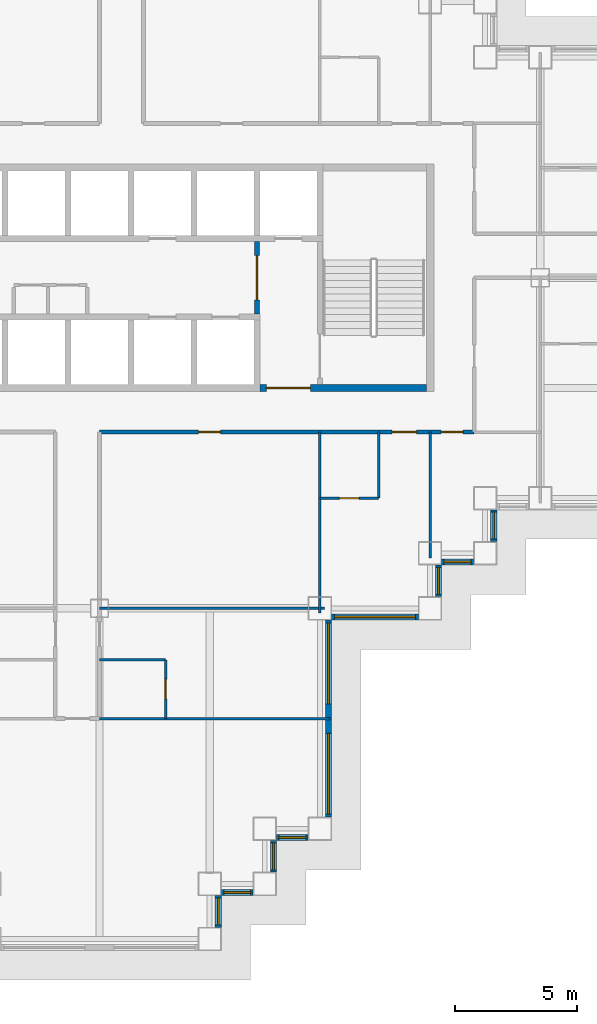
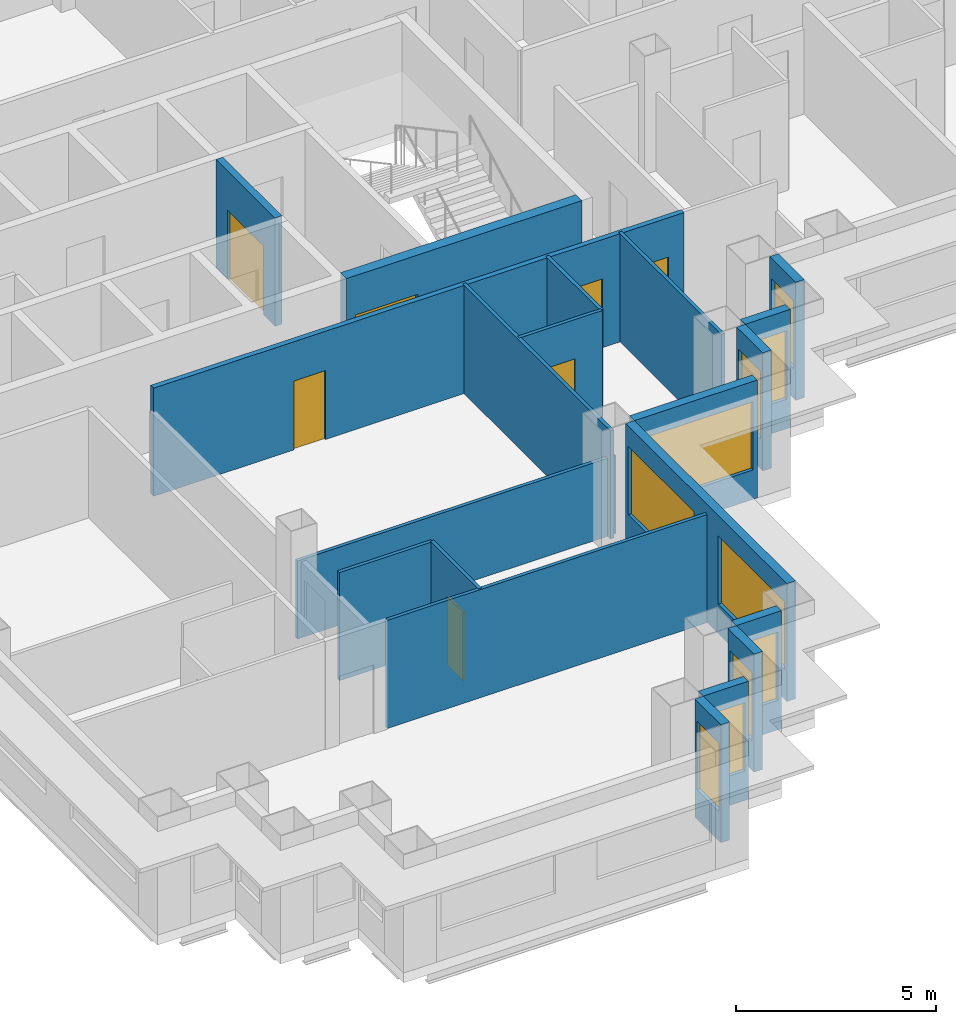
# One storey, part 5 of 15: 20 walls, 10 windows, 7 doors, 17 openings.
"""IFC4 building model written with IfcOpenShell, lengths in metres."""

from ifc_helpers import new_model, si_unit, direction, frame, frame_2d, origin, place, context, subcontext, project, spatial, rectangle, extrude, material, layer, layer_set, type_object, element, fill, save


model = new_model("IFC4")

# Units and contexts
model_context = context("Model", 3, precision=1e-05, world=origin(), true_north=direction((0.0, 1.0)))
body_context = subcontext(model_context, "Body", "Model", "MODEL_VIEW")
ifc_project = project(units=[si_unit("LENGTHUNIT", "METRE"), si_unit("AREAUNIT", "SQUARE_METRE"), si_unit("VOLUMEUNIT", "CUBIC_METRE"), si_unit("PLANEANGLEUNIT", "RADIAN"), si_unit("MASSUNIT", "GRAM", prefix="KILO")], contexts=[model_context])

# Site, building, storey
site_placement = place(None, origin())
site = spatial("IfcSite", under=ifc_project, at=site_placement, CompositionType="ELEMENT")
building_placement = place(site_placement, origin())
building = spatial("IfcBuilding", under=site, at=building_placement, Name="Caravel Reach Hotel and Residences", CompositionType="ELEMENT")
storey_placement = place(building_placement, frame((0.0, 0.0, 78.0)))
storey = spatial("IfcBuildingStorey", under=building, at=storey_placement, Name="L18", CompositionType="ELEMENT", Elevation=78.0)

# Wall
ifc_material_1 = material(Name="Gypsum board on steel stud", Category="steel")
ifc_layer_1 = layer(ifc_material_1, 0.10009765625)
ifc_layer_set_1 = layer_set([ifc_layer_1], Name="Bathroom pod wall 100 mm")
wall_type_1 = type_object("IfcWallType", Name="Bathroom pod wall 100 mm", PredefinedType="PARTITIONING", material=ifc_layer_set_1)
wall_1_placement = place(storey_placement, frame((31.5, 11.39990234375, 0.0), z_axis=(0.0, 0.0, 1.0), x_axis=(1.0, 0.0, 0.0)))
element("IfcWall", 1, at=wall_1_placement, inside=storey, type_object=wall_type_1, Name="L18 wall w082", PredefinedType="PARTITIONING", context=body_context, shape_type="SweptSolid", body=[
    extrude(rectangle(XDim=2.699951171875, YDim=0.10009765625, at=frame_2d((1.35009765625, 0.0))), origin(), (0.0, 0.0, 1.0), 3.300048828125),
])

# Wall, opening, door
wall_2_placement = place(storey_placement, frame((40.5, 18.0, 0.0), z_axis=(0.0, 0.0, 1.0), x_axis=(1.0, 0.0, 0.0)))
wall_2 = element("IfcWall", 2, at=wall_2_placement, inside=storey, type_object=wall_type_1, Name="L18 wall w085", PredefinedType="PARTITIONING", context=body_context, shape_type="SweptSolid", body=[
    extrude(rectangle(XDim=2.39990234375, YDim=0.10009765625, at=frame_2d((1.199951171875, 0.0))), origin(), (0.0, 0.0, 1.0), 3.300048828125),
])
opening_1_placement = place(wall_2_placement, frame((0.800048828125, 0.0, 0.0)))
opening_1 = element("IfcOpeningElement", 3, at=opening_1_placement, cuts=wall_2, Name="Opening D18-056", PredefinedType="OPENING", context=body_context, shape_type="SweptSolid", body=[
    extrude(rectangle(XDim=0.800048828125, YDim=2.10009765625, at=frame_2d((0.39990234375, 1.050048828125))), frame((0.0, 0.06005859375, 0.0), z_axis=(0.0, -1.0, 0.0), x_axis=(1.0, 0.0, 0.0)), (0.0, 0.0, 1.0), 0.1201171875),
])
ifc_material_2 = material(Name="Timber and steel door leaf", Category="steel")
door_type_1 = type_object("IfcDoorType", Name="Bathroom door 800 x 2100", OperationType="SINGLE_SWING_LEFT", PredefinedType="DOOR", material=ifc_material_2)
door_1_placement = place(opening_1_placement, origin())
door_1 = element("IfcDoor", 4, at=door_1_placement, inside=storey, type_object=door_type_1, Name="door D18-056", OperationType="SINGLE_SWING_RIGHT", OverallHeight=2.10009765625, OverallWidth=0.800048828125, PredefinedType="DOOR", context=body_context, shape_type="SweptSolid", body=[
    extrude(rectangle(XDim=0.800048828125, YDim=2.10009765625, at=frame_2d((0.39990234375, 1.050048828125))), frame((0.0, 0.02490234375, 0.0), z_axis=(0.0, -1.0, 0.0), x_axis=(1.0, 0.0, 0.0)), (0.0, 0.0, 1.0), 0.050048828125),
])
fill(opening_1, door_1)

wall_3_placement = place(storey_placement, frame((34.199951171875, 9.0, 0.0), z_axis=(0.0, 0.0, 1.0), x_axis=(0.0, 1.0, 0.0)))
wall_3 = element("IfcWall", 5, at=wall_3_placement, inside=storey, type_object=wall_type_1, Name="L18 wall w107", PredefinedType="PARTITIONING", context=body_context, shape_type="SweptSolid", body=[
    extrude(rectangle(XDim=2.39990234375, YDim=0.10009765625, at=frame_2d((1.199951171875, 0.0))), origin(), (0.0, 0.0, 1.0), 3.300048828125),
])
opening_2_placement = place(wall_3_placement, frame((0.800048828125, 0.0, 0.0)))
opening_2 = element("IfcOpeningElement", 6, at=opening_2_placement, cuts=wall_3, Name="Opening D18-041", PredefinedType="OPENING", context=body_context, shape_type="SweptSolid", body=[
    extrude(rectangle(XDim=0.800048828125, YDim=2.10009765625, at=frame_2d((0.39990234375, 1.050048828125))), frame((0.0, 0.06005859375, 0.0), z_axis=(0.0, -1.0, 0.0), x_axis=(1.0, 0.0, 0.0)), (0.0, 0.0, 1.0), 0.1201171875),
])
door_2_placement = place(opening_2_placement, origin())
door_2 = element("IfcDoor", 7, at=door_2_placement, inside=storey, type_object=door_type_1, Name="door D18-041", OperationType="SINGLE_SWING_RIGHT", OverallHeight=2.10009765625, OverallWidth=0.800048828125, PredefinedType="DOOR", context=body_context, shape_type="SweptSolid", body=[
    extrude(rectangle(XDim=0.800048828125, YDim=2.10009765625, at=frame_2d((0.39990234375, 1.050048828125))), frame((0.0, 0.02490234375, 0.0), z_axis=(0.0, -1.0, 0.0), x_axis=(1.0, 0.0, 0.0)), (0.0, 0.0, 1.0), 0.050048828125),
])
fill(opening_2, door_2)

# Wall
wall_4_placement = place(storey_placement, frame((42.89990234375, 18.0, 0.0), z_axis=(0.0, 0.0, 1.0), x_axis=(0.0, 1.0, 0.0)))
element("IfcWall", 8, at=wall_4_placement, inside=storey, type_object=wall_type_1, Name="L18 wall w110", PredefinedType="PARTITIONING", context=body_context, shape_type="SweptSolid", body=[
    extrude(rectangle(XDim=2.699951171875, YDim=0.10009765625, at=frame_2d((1.35009765625, 0.0))), origin(), (0.0, 0.0, 1.0), 3.300048828125),
])

# Wall, opening, door
ifc_material_3 = material(Name="Concrete C60", Category="concrete")
ifc_layer_2 = layer(ifc_material_3, 0.300048828125)
ifc_layer_set_2 = layer_set([ifc_layer_2], Name="Core wall 300 mm EI 120")
wall_type_2 = type_object("IfcWallType", Name="Core wall 300 mm EI 120", PredefinedType="SHEAR", material=ifc_layer_set_2)
wall_5_placement = place(storey_placement, frame((38.053466796875, 22.5, 0.0), z_axis=(0.0, 0.0, 1.0), x_axis=(1.0, 0.0, 0.0)))
wall_5 = element("IfcWall", 9, at=wall_5_placement, inside=storey, type_object=wall_type_2, Name="L18 core wall S2", PredefinedType="SHEAR", context=body_context, shape_type="SweptSolid", body=[
    extrude(rectangle(XDim=6.796630859375, YDim=0.300048828125, at=frame_2d((3.3984375, 0.0))), origin(), (0.0, 0.0, 1.0), 3.300048828125),
])
opening_3_placement = place(wall_5_placement, frame((0.2607421875, 0.0, 0.0)))
opening_3 = element("IfcOpeningElement", 10, at=opening_3_placement, cuts=wall_5, Name="Opening D18-015", PredefinedType="OPENING", context=body_context, shape_type="SweptSolid", body=[
    extrude(rectangle(XDim=1.800048828125, YDim=2.10009765625, at=frame_2d((0.89990234375, 1.050048828125))), frame((0.0, 0.159912109375, 0.0), z_axis=(0.0, -1.0, 0.0), x_axis=(1.0, 0.0, 0.0)), (0.0, 0.0, 1.0), 0.320068359375),
])
ifc_material_4 = material(Name="Steel fire door leaf", Category="steel")
door_type_2 = type_object("IfcDoorType", Name="Fire lobby door pair 1800 x 2100 EI 90", OperationType="DOUBLE_DOOR_SINGLE_SWING", PredefinedType="DOOR", material=ifc_material_4)
door_3_placement = place(opening_3_placement, origin())
door_3 = element("IfcDoor", 11, at=door_3_placement, inside=storey, type_object=door_type_2, Name="lobby S door pair to corridor", OperationType="DOUBLE_DOOR_SINGLE_SWING", OverallHeight=2.10009765625, OverallWidth=1.800048828125, PredefinedType="DOOR", context=body_context, shape_type="SweptSolid", body=[
    extrude(rectangle(XDim=1.800048828125, YDim=2.10009765625, at=frame_2d((0.89990234375, 1.050048828125))), frame((0.0, 0.02490234375, 0.0), z_axis=(0.0, -1.0, 0.0), x_axis=(1.0, 0.0, 0.0)), (0.0, 0.0, 1.0), 0.050048828125),
])
fill(opening_3, door_3)

# Wall, openings, doors
ifc_material_5 = material(Name="Gypsum board on steel stud, fire-rated", Category="steel")
ifc_layer_3 = layer(ifc_material_5, 0.14990234375)
ifc_layer_set_3 = layer_set([ifc_layer_3], Name="Corridor wall 150 mm EI 60")
wall_type_3 = type_object("IfcWallType", Name="Corridor wall 150 mm EI 60", PredefinedType="PARTITIONING", material=ifc_layer_set_3)
wall_6_placement = place(storey_placement, frame((31.5, 20.699951171875, 0.0), z_axis=(0.0, 0.0, 1.0), x_axis=(1.0, 0.0, 0.0)))
wall_6 = element("IfcWall", 12, at=wall_6_placement, inside=storey, type_object=wall_type_3, Name="L18 wall w004", PredefinedType="PARTITIONING", context=body_context, shape_type="SweptSolid", body=[
    extrude(rectangle(XDim=15.300048828125, YDim=0.14990234375, at=frame_2d((7.64990234375, 0.0))), origin(), (0.0, 0.0, 1.0), 3.300048828125),
])
opening_4_placement = place(wall_6_placement, frame((11.949951171875, 0.0, 0.0)))
opening_4 = element("IfcOpeningElement", 13, at=opening_4_placement, cuts=wall_6, Name="Opening D18-055", PredefinedType="OPENING", context=body_context, shape_type="SweptSolid", body=[
    extrude(rectangle(XDim=1.0, YDim=2.10009765625, at=frame_2d((0.5, 1.050048828125))), frame((0.0, 0.0849609375, 0.0), z_axis=(0.0, -1.0, 0.0), x_axis=(1.0, 0.0, 0.0)), (0.0, 0.0, 1.0), 0.169921875),
])
opening_5_placement = place(wall_6_placement, frame((13.949951171875, 0.0, 0.0)))
opening_5 = element("IfcOpeningElement", 14, at=opening_5_placement, cuts=wall_6, Name="Opening D18-057", PredefinedType="OPENING", context=body_context, shape_type="SweptSolid", body=[
    extrude(rectangle(XDim=0.89990234375, YDim=2.10009765625, at=frame_2d((0.449951171875, 1.050048828125))), frame((0.0, 0.0849609375, 0.0), z_axis=(0.0, -1.0, 0.0), x_axis=(1.0, 0.0, 0.0)), (0.0, 0.0, 1.0), 0.169921875),
])
opening_6_placement = place(wall_6_placement, frame((4.050048828125, 0.0, 0.0)))
opening_6 = element("IfcOpeningElement", 15, at=opening_6_placement, cuts=wall_6, Name="Opening D18-062", PredefinedType="OPENING", context=body_context, shape_type="SweptSolid", body=[
    extrude(rectangle(XDim=0.89990234375, YDim=2.10009765625, at=frame_2d((0.449951171875, 1.050048828125))), frame((0.0, 0.0849609375, 0.0), z_axis=(0.0, -1.0, 0.0), x_axis=(1.0, 0.0, 0.0)), (0.0, 0.0, 1.0), 0.169921875),
])
ifc_material_6 = material(Name="Timber and steel door leaf", Category="steel")
door_type_3 = type_object("IfcDoorType", Name="Door 900 x 2100 timber", OperationType="SINGLE_SWING_LEFT", PredefinedType="DOOR", material=ifc_material_6)
door_4_placement = place(opening_5_placement, origin())
door_4 = element("IfcDoor", 16, at=door_4_placement, inside=storey, type_object=door_type_3, Name="door D18-057", OperationType="SINGLE_SWING_LEFT", OverallHeight=2.10009765625, OverallWidth=0.89990234375, PredefinedType="DOOR", context=body_context, shape_type="SweptSolid", body=[
    extrude(rectangle(XDim=0.89990234375, YDim=2.10009765625, at=frame_2d((0.449951171875, 1.050048828125))), frame((0.0, 0.02490234375, 0.0), z_axis=(0.0, -1.0, 0.0), x_axis=(1.0, 0.0, 0.0)), (0.0, 0.0, 1.0), 0.050048828125),
])
fill(opening_5, door_4)
door_5_placement = place(opening_6_placement, origin())
door_5 = element("IfcDoor", 17, at=door_5_placement, inside=storey, type_object=door_type_3, Name="door D18-062", OperationType="SINGLE_SWING_LEFT", OverallHeight=2.10009765625, OverallWidth=0.89990234375, PredefinedType="DOOR", context=body_context, shape_type="SweptSolid", body=[
    extrude(rectangle(XDim=0.89990234375, YDim=2.10009765625, at=frame_2d((0.449951171875, 1.050048828125))), frame((0.0, 0.02490234375, 0.0), z_axis=(0.0, -1.0, 0.0), x_axis=(1.0, 0.0, 0.0)), (0.0, 0.0, 1.0), 0.050048828125),
])
fill(opening_6, door_5)
ifc_material_7 = material(Name="Steel fire door leaf", Category="steel")
door_type_4 = type_object("IfcDoorType", Name="Guest room door 1000 x 2100 EI 30", OperationType="SINGLE_SWING_LEFT", PredefinedType="DOOR", material=ifc_material_7)
door_6_placement = place(opening_4_placement, origin())
door_6 = element("IfcDoor", 18, at=door_6_placement, inside=storey, type_object=door_type_4, Name="door D18-055", OperationType="SINGLE_SWING_RIGHT", OverallHeight=2.10009765625, OverallWidth=1.0, PredefinedType="DOOR", context=body_context, shape_type="SweptSolid", body=[
    extrude(rectangle(XDim=1.0, YDim=2.10009765625, at=frame_2d((0.5, 1.050048828125))), frame((0.0, 0.02490234375, 0.0), z_axis=(0.0, -1.0, 0.0), x_axis=(1.0, 0.0, 0.0)), (0.0, 0.0, 1.0), 0.050048828125),
])
fill(opening_4, door_6)

# Wall, opening, window
ifc_material_8 = material(Name="Insulated rainscreen wall, aluminium cladding", Category="aluminium")
ifc_layer_4 = layer(ifc_material_8, 0.25)
ifc_layer_set_4 = layer_set([ifc_layer_4], Name="EW1 Tower rainscreen wall")
wall_type_4 = type_object("IfcWallType", Name="EW1 Tower rainscreen wall", PredefinedType="SOLIDWALL", material=ifc_layer_set_4)
wall_7_placement = place(storey_placement, frame((36.35009765625, 0.47509765625, 0.0), z_axis=(0.0, 0.0, 1.0), x_axis=(0.0, 1.0, 0.0)))
wall_7 = element("IfcWall", 19, at=wall_7_placement, inside=storey, type_object=wall_type_4, Name="External wall L18 E6.1", PredefinedType="SOLIDWALL", context=body_context, shape_type="SweptSolid", body=[
    extrude(rectangle(XDim=1.2998046875, YDim=0.25, at=frame_2d((0.64990234375, 0.0))), origin(), (0.0, 0.0, 1.0), 3.60009765625),
])
opening_7_placement = place(wall_7_placement, frame((0.10009765625, 0.0, 0.89990234375)))
opening_7 = element("IfcOpeningElement", 20, at=opening_7_placement, cuts=wall_7, Name="Opening WN5", PredefinedType="OPENING", context=body_context, shape_type="SweptSolid", body=[
    extrude(rectangle(XDim=1.10009765625, YDim=2.080078125, at=frame_2d((0.550048828125, 1.0400390625))), frame((0.0, 0.135009765625, 0.0), z_axis=(0.0, -1.0, 0.0), x_axis=(1.0, 0.0, 0.0)), (0.0, 0.0, 1.0), 0.27001953125),
])
ifc_material_9 = material(Name="Dark low-e glazing in black aluminium frame", Category="aluminium")
window_type_1 = type_object("IfcWindowType", Name="Hotel suite corner window 1100 x 2080", PartitioningType="SINGLE_PANEL", PredefinedType="WINDOW", material=ifc_material_9)
window_1_placement = place(opening_7_placement, origin())
window_1 = element("IfcWindow", 21, at=window_1_placement, inside=storey, type_object=window_type_1, Name="Window L18 E6.1.1", OverallHeight=2.080078125, OverallWidth=1.10009765625, PartitioningType="SINGLE_PANEL", PredefinedType="WINDOW", context=body_context, shape_type="SweptSolid", body=[
    extrude(rectangle(XDim=1.10009765625, YDim=2.080078125, at=frame_2d((0.550048828125, 1.0400390625))), frame((0.0, 0.030029296875, 0.0), z_axis=(0.0, -1.0, 0.0), x_axis=(1.0, 0.0, 0.0)), (0.0, 0.0, 1.0), 0.06005859375),
])
fill(opening_7, window_1)

wall_8_placement = place(storey_placement, frame((36.47509765625, 1.89990234375, 0.0), z_axis=(0.0, 0.0, 1.0), x_axis=(1.0, 0.0, 0.0)))
wall_8 = element("IfcWall", 22, at=wall_8_placement, inside=storey, type_object=wall_type_4, Name="External wall L18 S7.1", PredefinedType="SOLIDWALL", context=body_context, shape_type="SweptSolid", body=[
    extrude(rectangle(XDim=1.2998046875, YDim=0.25, at=frame_2d((0.64990234375, 0.0))), origin(), (0.0, 0.0, 1.0), 3.60009765625),
])
opening_8_placement = place(wall_8_placement, frame((0.10009765625, 0.0, 0.89990234375)))
opening_8 = element("IfcOpeningElement", 23, at=opening_8_placement, cuts=wall_8, Name="Opening WN5", PredefinedType="OPENING", context=body_context, shape_type="SweptSolid", body=[
    extrude(rectangle(XDim=1.10009765625, YDim=2.080078125, at=frame_2d((0.550048828125, 1.0400390625))), frame((0.0, 0.135009765625, 0.0), z_axis=(0.0, -1.0, 0.0), x_axis=(1.0, 0.0, 0.0)), (0.0, 0.0, 1.0), 0.27001953125),
])
window_2_placement = place(opening_8_placement, origin())
window_2 = element("IfcWindow", 24, at=window_2_placement, inside=storey, type_object=window_type_1, Name="Window L18 S7.1.1", OverallHeight=2.080078125, OverallWidth=1.10009765625, PartitioningType="SINGLE_PANEL", PredefinedType="WINDOW", context=body_context, shape_type="SweptSolid", body=[
    extrude(rectangle(XDim=1.10009765625, YDim=2.080078125, at=frame_2d((0.550048828125, 1.0400390625))), frame((0.0, 0.030029296875, 0.0), z_axis=(0.0, -1.0, 0.0), x_axis=(1.0, 0.0, 0.0)), (0.0, 0.0, 1.0), 0.06005859375),
])
fill(opening_8, window_2)

wall_9_placement = place(storey_placement, frame((38.60009765625, 2.72509765625, 0.0), z_axis=(0.0, 0.0, 1.0), x_axis=(0.0, 1.0, 0.0)))
wall_9 = element("IfcWall", 25, at=wall_9_placement, inside=storey, type_object=wall_type_4, Name="External wall L18 E8.1", PredefinedType="SOLIDWALL", context=body_context, shape_type="SweptSolid", body=[
    extrude(rectangle(XDim=1.2998046875, YDim=0.25, at=frame_2d((0.64990234375, 0.0))), origin(), (0.0, 0.0, 1.0), 3.60009765625),
])
opening_9_placement = place(wall_9_placement, frame((0.10009765625, 0.0, 0.89990234375)))
opening_9 = element("IfcOpeningElement", 26, at=opening_9_placement, cuts=wall_9, Name="Opening WN5", PredefinedType="OPENING", context=body_context, shape_type="SweptSolid", body=[
    extrude(rectangle(XDim=1.10009765625, YDim=2.080078125, at=frame_2d((0.550048828125, 1.0400390625))), frame((0.0, 0.135009765625, 0.0), z_axis=(0.0, -1.0, 0.0), x_axis=(1.0, 0.0, 0.0)), (0.0, 0.0, 1.0), 0.27001953125),
])
window_3_placement = place(opening_9_placement, origin())
window_3 = element("IfcWindow", 27, at=window_3_placement, inside=storey, type_object=window_type_1, Name="Window L18 E8.1.1", OverallHeight=2.080078125, OverallWidth=1.10009765625, PartitioningType="SINGLE_PANEL", PredefinedType="WINDOW", context=body_context, shape_type="SweptSolid", body=[
    extrude(rectangle(XDim=1.10009765625, YDim=2.080078125, at=frame_2d((0.550048828125, 1.0400390625))), frame((0.0, 0.030029296875, 0.0), z_axis=(0.0, -1.0, 0.0), x_axis=(1.0, 0.0, 0.0)), (0.0, 0.0, 1.0), 0.06005859375),
])
fill(opening_9, window_3)

wall_10_placement = place(storey_placement, frame((38.72509765625, 4.14990234375, 0.0), z_axis=(0.0, 0.0, 1.0), x_axis=(1.0, 0.0, 0.0)))
wall_10 = element("IfcWall", 28, at=wall_10_placement, inside=storey, type_object=wall_type_4, Name="External wall L18 S9.1", PredefinedType="SOLIDWALL", context=body_context, shape_type="SweptSolid", body=[
    extrude(rectangle(XDim=1.2998046875, YDim=0.25, at=frame_2d((0.64990234375, 0.0))), origin(), (0.0, 0.0, 1.0), 3.60009765625),
])
opening_10_placement = place(wall_10_placement, frame((0.10009765625, 0.0, 0.89990234375)))
opening_10 = element("IfcOpeningElement", 29, at=opening_10_placement, cuts=wall_10, Name="Opening WN5", PredefinedType="OPENING", context=body_context, shape_type="SweptSolid", body=[
    extrude(rectangle(XDim=1.10009765625, YDim=2.080078125, at=frame_2d((0.550048828125, 1.0400390625))), frame((0.0, 0.135009765625, 0.0), z_axis=(0.0, -1.0, 0.0), x_axis=(1.0, 0.0, 0.0)), (0.0, 0.0, 1.0), 0.27001953125),
])
window_4_placement = place(opening_10_placement, origin())
window_4 = element("IfcWindow", 30, at=window_4_placement, inside=storey, type_object=window_type_1, Name="Window L18 S9.1.1", OverallHeight=2.080078125, OverallWidth=1.10009765625, PartitioningType="SINGLE_PANEL", PredefinedType="WINDOW", context=body_context, shape_type="SweptSolid", body=[
    extrude(rectangle(XDim=1.10009765625, YDim=2.080078125, at=frame_2d((0.550048828125, 1.0400390625))), frame((0.0, 0.030029296875, 0.0), z_axis=(0.0, -1.0, 0.0), x_axis=(1.0, 0.0, 0.0)), (0.0, 0.0, 1.0), 0.06005859375),
])
fill(opening_10, window_4)

# Wall, openings, windows
wall_11_placement = place(storey_placement, frame((40.85009765625, 4.97509765625, 0.0), z_axis=(0.0, 0.0, 1.0), x_axis=(0.0, 1.0, 0.0)))
wall_11 = element("IfcWall", 31, at=wall_11_placement, inside=storey, type_object=wall_type_4, Name="External wall L18 E10.1", PredefinedType="SOLIDWALL", context=body_context, shape_type="SweptSolid", body=[
    extrude(rectangle(XDim=8.0498046875, YDim=0.25, at=frame_2d((4.02490234375, 0.0))), origin(), (0.0, 0.0, 1.0), 3.60009765625),
])
opening_11_placement = place(wall_11_placement, frame((0.125, 0.0, 0.89990234375)))
opening_11 = element("IfcOpeningElement", 32, at=opening_11_placement, cuts=wall_11, Name="Opening WN4", PredefinedType="OPENING", context=body_context, shape_type="SweptSolid", body=[
    extrude(rectangle(XDim=3.300048828125, YDim=2.080078125, at=frame_2d((1.64990234375, 1.0400390625))), frame((0.0, 0.135009765625, 0.0), z_axis=(0.0, -1.0, 0.0), x_axis=(1.0, 0.0, 0.0)), (0.0, 0.0, 1.0), 0.27001953125),
])
opening_12_placement = place(wall_11_placement, frame((4.625, 0.0, 0.89990234375)))
opening_12 = element("IfcOpeningElement", 33, at=opening_12_placement, cuts=wall_11, Name="Opening WN4", PredefinedType="OPENING", context=body_context, shape_type="SweptSolid", body=[
    extrude(rectangle(XDim=3.300048828125, YDim=2.080078125, at=frame_2d((1.64990234375, 1.0400390625))), frame((0.0, 0.135009765625, 0.0), z_axis=(0.0, -1.0, 0.0), x_axis=(1.0, 0.0, 0.0)), (0.0, 0.0, 1.0), 0.27001953125),
])
ifc_material_10 = material(Name="Dark low-e glazing in black aluminium frame", Category="aluminium")
window_type_2 = type_object("IfcWindowType", Name="Hotel guest room window 3300 x 2080", PartitioningType="SINGLE_PANEL", PredefinedType="WINDOW", material=ifc_material_10)
window_5_placement = place(opening_11_placement, origin())
window_5 = element("IfcWindow", 34, at=window_5_placement, inside=storey, type_object=window_type_2, Name="Window L18 E10.1.1", OverallHeight=2.080078125, OverallWidth=3.300048828125, PartitioningType="SINGLE_PANEL", PredefinedType="WINDOW", context=body_context, shape_type="SweptSolid", body=[
    extrude(rectangle(XDim=3.300048828125, YDim=2.080078125, at=frame_2d((1.64990234375, 1.0400390625))), frame((0.0, 0.030029296875, 0.0), z_axis=(0.0, -1.0, 0.0), x_axis=(1.0, 0.0, 0.0)), (0.0, 0.0, 1.0), 0.06005859375),
])
fill(opening_11, window_5)
window_6_placement = place(opening_12_placement, origin())
window_6 = element("IfcWindow", 35, at=window_6_placement, inside=storey, type_object=window_type_2, Name="Window L18 E10.1.2", OverallHeight=2.080078125, OverallWidth=3.300048828125, PartitioningType="SINGLE_PANEL", PredefinedType="WINDOW", context=body_context, shape_type="SweptSolid", body=[
    extrude(rectangle(XDim=3.300048828125, YDim=2.080078125, at=frame_2d((1.64990234375, 1.0400390625))), frame((0.0, 0.030029296875, 0.0), z_axis=(0.0, -1.0, 0.0), x_axis=(1.0, 0.0, 0.0)), (0.0, 0.0, 1.0), 0.06005859375),
])
fill(opening_12, window_6)

# Wall, opening, window
wall_12_placement = place(storey_placement, frame((40.97509765625, 13.14990234375, 0.0), z_axis=(0.0, 0.0, 1.0), x_axis=(1.0, 0.0, 0.0)))
wall_12 = element("IfcWall", 36, at=wall_12_placement, inside=storey, type_object=wall_type_4, Name="External wall L18 S11.1", PredefinedType="SOLIDWALL", context=body_context, shape_type="SweptSolid", body=[
    extrude(rectangle(XDim=3.5498046875, YDim=0.25, at=frame_2d((1.77490234375, 0.0))), origin(), (0.0, 0.0, 1.0), 3.60009765625),
])
opening_13_placement = place(wall_12_placement, frame((0.125, 0.0, 0.89990234375)))
opening_13 = element("IfcOpeningElement", 37, at=opening_13_placement, cuts=wall_12, Name="Opening WN4", PredefinedType="OPENING", context=body_context, shape_type="SweptSolid", body=[
    extrude(rectangle(XDim=3.300048828125, YDim=2.080078125, at=frame_2d((1.64990234375, 1.0400390625))), frame((0.0, 0.135009765625, 0.0), z_axis=(0.0, -1.0, 0.0), x_axis=(1.0, 0.0, 0.0)), (0.0, 0.0, 1.0), 0.27001953125),
])
window_7_placement = place(opening_13_placement, origin())
window_7 = element("IfcWindow", 38, at=window_7_placement, inside=storey, type_object=window_type_2, Name="Window L18 S11.1.1", OverallHeight=2.080078125, OverallWidth=3.300048828125, PartitioningType="SINGLE_PANEL", PredefinedType="WINDOW", context=body_context, shape_type="SweptSolid", body=[
    extrude(rectangle(XDim=3.300048828125, YDim=2.080078125, at=frame_2d((1.64990234375, 1.0400390625))), frame((0.0, 0.030029296875, 0.0), z_axis=(0.0, -1.0, 0.0), x_axis=(1.0, 0.0, 0.0)), (0.0, 0.0, 1.0), 0.06005859375),
])
fill(opening_13, window_7)

wall_13_placement = place(storey_placement, frame((45.35009765625, 13.97509765625, 0.0), z_axis=(0.0, 0.0, 1.0), x_axis=(0.0, 1.0, 0.0)))
wall_13 = element("IfcWall", 39, at=wall_13_placement, inside=storey, type_object=wall_type_4, Name="External wall L18 E12.1", PredefinedType="SOLIDWALL", context=body_context, shape_type="SweptSolid", body=[
    extrude(rectangle(XDim=1.2998046875, YDim=0.25, at=frame_2d((0.64990234375, 0.0))), origin(), (0.0, 0.0, 1.0), 3.60009765625),
])
opening_14_placement = place(wall_13_placement, frame((0.10009765625, 0.0, 0.89990234375)))
opening_14 = element("IfcOpeningElement", 40, at=opening_14_placement, cuts=wall_13, Name="Opening WN5", PredefinedType="OPENING", context=body_context, shape_type="SweptSolid", body=[
    extrude(rectangle(XDim=1.10009765625, YDim=2.080078125, at=frame_2d((0.550048828125, 1.0400390625))), frame((0.0, 0.135009765625, 0.0), z_axis=(0.0, -1.0, 0.0), x_axis=(1.0, 0.0, 0.0)), (0.0, 0.0, 1.0), 0.27001953125),
])
window_8_placement = place(opening_14_placement, origin())
window_8 = element("IfcWindow", 41, at=window_8_placement, inside=storey, type_object=window_type_1, Name="Window L18 E12.1.1", OverallHeight=2.080078125, OverallWidth=1.10009765625, PartitioningType="SINGLE_PANEL", PredefinedType="WINDOW", context=body_context, shape_type="SweptSolid", body=[
    extrude(rectangle(XDim=1.10009765625, YDim=2.080078125, at=frame_2d((0.550048828125, 1.0400390625))), frame((0.0, 0.030029296875, 0.0), z_axis=(0.0, -1.0, 0.0), x_axis=(1.0, 0.0, 0.0)), (0.0, 0.0, 1.0), 0.06005859375),
])
fill(opening_14, window_8)

wall_14_placement = place(storey_placement, frame((45.47509765625, 15.39990234375, 0.0), z_axis=(0.0, 0.0, 1.0), x_axis=(1.0, 0.0, 0.0)))
wall_14 = element("IfcWall", 42, at=wall_14_placement, inside=storey, type_object=wall_type_4, Name="External wall L18 S13.1", PredefinedType="SOLIDWALL", context=body_context, shape_type="SweptSolid", body=[
    extrude(rectangle(XDim=1.2998046875, YDim=0.25, at=frame_2d((0.64990234375, 0.0))), origin(), (0.0, 0.0, 1.0), 3.60009765625),
])
opening_15_placement = place(wall_14_placement, frame((0.10009765625, 0.0, 0.89990234375)))
opening_15 = element("IfcOpeningElement", 43, at=opening_15_placement, cuts=wall_14, Name="Opening WN5", PredefinedType="OPENING", context=body_context, shape_type="SweptSolid", body=[
    extrude(rectangle(XDim=1.10009765625, YDim=2.080078125, at=frame_2d((0.550048828125, 1.0400390625))), frame((0.0, 0.135009765625, 0.0), z_axis=(0.0, -1.0, 0.0), x_axis=(1.0, 0.0, 0.0)), (0.0, 0.0, 1.0), 0.27001953125),
])
window_9_placement = place(opening_15_placement, origin())
window_9 = element("IfcWindow", 44, at=window_9_placement, inside=storey, type_object=window_type_1, Name="Window L18 S13.1.1", OverallHeight=2.080078125, OverallWidth=1.10009765625, PartitioningType="SINGLE_PANEL", PredefinedType="WINDOW", context=body_context, shape_type="SweptSolid", body=[
    extrude(rectangle(XDim=1.10009765625, YDim=2.080078125, at=frame_2d((0.550048828125, 1.0400390625))), frame((0.0, 0.030029296875, 0.0), z_axis=(0.0, -1.0, 0.0), x_axis=(1.0, 0.0, 0.0)), (0.0, 0.0, 1.0), 0.06005859375),
])
fill(opening_15, window_9)

wall_15_placement = place(storey_placement, frame((47.60009765625, 16.22509765625, 0.0), z_axis=(0.0, 0.0, 1.0), x_axis=(0.0, 1.0, 0.0)))
wall_15 = element("IfcWall", 45, at=wall_15_placement, inside=storey, type_object=wall_type_4, Name="External wall L18 E14.1", PredefinedType="SOLIDWALL", context=body_context, shape_type="SweptSolid", body=[
    extrude(rectangle(XDim=1.2998046875, YDim=0.25, at=frame_2d((0.64990234375, 0.0))), origin(), (0.0, 0.0, 1.0), 3.60009765625),
])
opening_16_placement = place(wall_15_placement, frame((0.10009765625, 0.0, 0.89990234375)))
opening_16 = element("IfcOpeningElement", 46, at=opening_16_placement, cuts=wall_15, Name="Opening WN5", PredefinedType="OPENING", context=body_context, shape_type="SweptSolid", body=[
    extrude(rectangle(XDim=1.10009765625, YDim=2.080078125, at=frame_2d((0.550048828125, 1.0400390625))), frame((0.0, 0.135009765625, 0.0), z_axis=(0.0, -1.0, 0.0), x_axis=(1.0, 0.0, 0.0)), (0.0, 0.0, 1.0), 0.27001953125),
])
window_10_placement = place(opening_16_placement, origin())
window_10 = element("IfcWindow", 47, at=window_10_placement, inside=storey, type_object=window_type_1, Name="Window L18 E14.1.1", OverallHeight=2.080078125, OverallWidth=1.10009765625, PartitioningType="SINGLE_PANEL", PredefinedType="WINDOW", context=body_context, shape_type="SweptSolid", body=[
    extrude(rectangle(XDim=1.10009765625, YDim=2.080078125, at=frame_2d((0.550048828125, 1.0400390625))), frame((0.0, 0.030029296875, 0.0), z_axis=(0.0, -1.0, 0.0), x_axis=(1.0, 0.0, 0.0)), (0.0, 0.0, 1.0), 0.06005859375),
])
fill(opening_16, window_10)

# Wall, opening, door
ifc_material_11 = material(Name="Autoclaved aerated block wall")
ifc_layer_5 = layer(ifc_material_11, 0.199951171875)
ifc_layer_set_5 = layer_set([ifc_layer_5], Name="Fire lobby wall 200 mm EI 120")
wall_type_5 = type_object("IfcWallType", Name="Fire lobby wall 200 mm EI 120", PredefinedType="PARTITIONING", material=ifc_layer_set_5)
wall_16_placement = place(storey_placement, frame((37.928466796875, 25.52490234375, 0.0), z_axis=(0.0, 0.0, 1.0), x_axis=(0.0, 1.0, 0.0)))
wall_16 = element("IfcWall", 48, at=wall_16_placement, inside=storey, type_object=wall_type_5, Name="L18 lobby E wall", PredefinedType="PARTITIONING", context=body_context, shape_type="SweptSolid", body=[
    extrude(rectangle(XDim=2.9501953125, YDim=0.199951171875, at=frame_2d((1.47509765625, 0.0))), origin(), (0.0, 0.0, 1.0), 3.300048828125),
])
opening_17_placement = place(wall_16_placement, frame((0.574951171875, 0.0, 0.0)))
opening_17 = element("IfcOpeningElement", 49, at=opening_17_placement, cuts=wall_16, Name="Opening D18-013", PredefinedType="OPENING", context=body_context, shape_type="SweptSolid", body=[
    extrude(rectangle(XDim=1.800048828125, YDim=2.10009765625, at=frame_2d((0.89990234375, 1.050048828125))), frame((0.0, 0.10986328125, 0.0), z_axis=(0.0, -1.0, 0.0), x_axis=(1.0, 0.0, 0.0)), (0.0, 0.0, 1.0), 0.219970703125),
])
door_7_placement = place(opening_17_placement, origin())
door_7 = element("IfcDoor", 50, at=door_7_placement, inside=storey, type_object=door_type_2, Name="lobby E door pair", OperationType="DOUBLE_DOOR_SINGLE_SWING", OverallHeight=2.10009765625, OverallWidth=1.800048828125, PredefinedType="DOOR", context=body_context, shape_type="SweptSolid", body=[
    extrude(rectangle(XDim=1.800048828125, YDim=2.10009765625, at=frame_2d((0.89990234375, 1.050048828125))), frame((0.0, 0.02490234375, 0.0), z_axis=(0.0, -1.0, 0.0), x_axis=(1.0, 0.0, 0.0)), (0.0, 0.0, 1.0), 0.050048828125),
])
fill(opening_17, door_7)

# Walls
ifc_material_12 = material(Name="Gypsum board on steel stud", Category="steel")
ifc_layer_6 = layer(ifc_material_12, 0.10009765625)
ifc_layer_set_6 = layer_set([ifc_layer_6], Name="Partition 100 mm")
wall_type_6 = type_object("IfcWallType", Name="Partition 100 mm", PredefinedType="PARTITIONING", material=ifc_layer_set_6)
wall_17_placement = place(storey_placement, frame((31.5, 13.5, 0.0), z_axis=(0.0, 0.0, 1.0), x_axis=(1.0, 0.0, 0.0)))
element("IfcWall", 51, at=wall_17_placement, inside=storey, type_object=wall_type_6, Name="L18 wall w043", PredefinedType="PARTITIONING", context=body_context, shape_type="SweptSolid", body=[
    extrude(rectangle(XDim=9.18994140625, YDim=0.10009765625, at=frame_2d((4.594970703125, 0.0))), origin(), (0.0, 0.0, 1.0), 2.3798828125),
])
wall_18_placement = place(storey_placement, frame((31.5, 9.0, 0.0), z_axis=(0.0, 0.0, 1.0), x_axis=(1.0, 0.0, 0.0)))
element("IfcWall", 52, at=wall_18_placement, inside=storey, type_object=wall_type_6, Name="L18 wall w055", PredefinedType="PARTITIONING", context=body_context, shape_type="SweptSolid", body=[
    extrude(rectangle(XDim=9.4150390625, YDim=0.10009765625, at=frame_2d((4.70751953125, 0.0))), origin(), (0.0, 0.0, 1.0), 3.300048828125),
])
wall_19_placement = place(storey_placement, frame((40.5, 13.31005859375, 0.0), z_axis=(0.0, 0.0, 1.0), x_axis=(0.0, 1.0, 0.0)))
element("IfcWall", 53, at=wall_19_placement, inside=storey, type_object=wall_type_6, Name="L18 wall w067", PredefinedType="PARTITIONING", context=body_context, shape_type="SweptSolid", body=[
    extrude(rectangle(XDim=7.389892578125, YDim=0.10009765625, at=frame_2d((3.69482421875, 0.0))), origin(), (0.0, 0.0, 1.0), 3.300048828125),
])
wall_20_placement = place(storey_placement, frame((45.0, 15.56005859375, 0.0), z_axis=(0.0, 0.0, 1.0), x_axis=(0.0, 1.0, 0.0)))
element("IfcWall", 54, at=wall_20_placement, inside=storey, type_object=wall_type_6, Name="L18 wall w069", PredefinedType="PARTITIONING", context=body_context, shape_type="SweptSolid", body=[
    extrude(rectangle(XDim=5.139892578125, YDim=0.10009765625, at=frame_2d((2.56982421875, 0.0))), origin(), (0.0, 0.0, 1.0), 3.300048828125),
])

save(model, "model.ifc")
